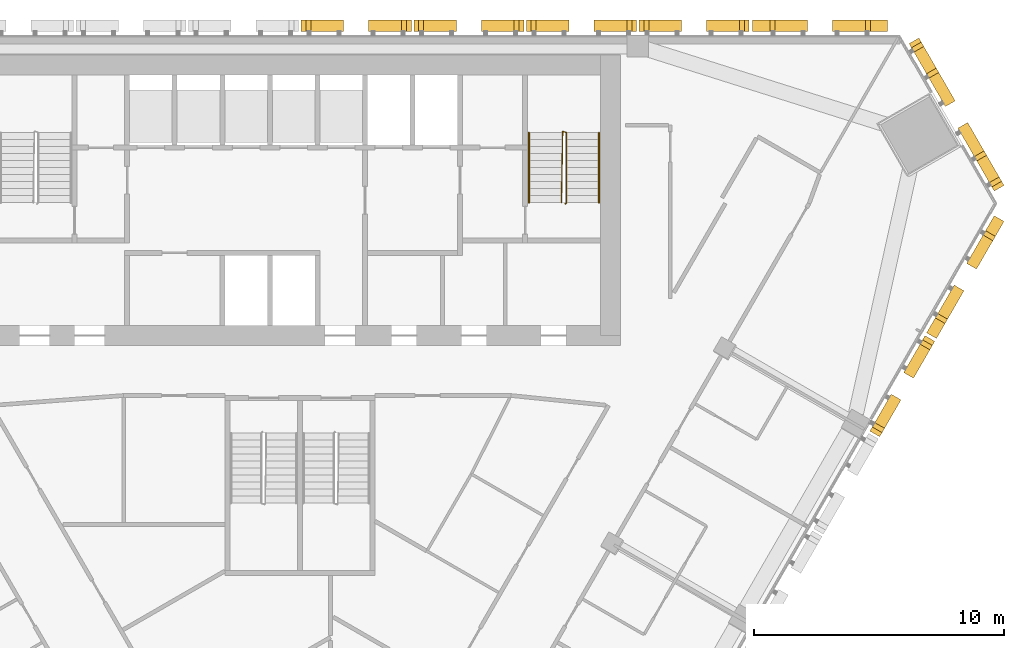
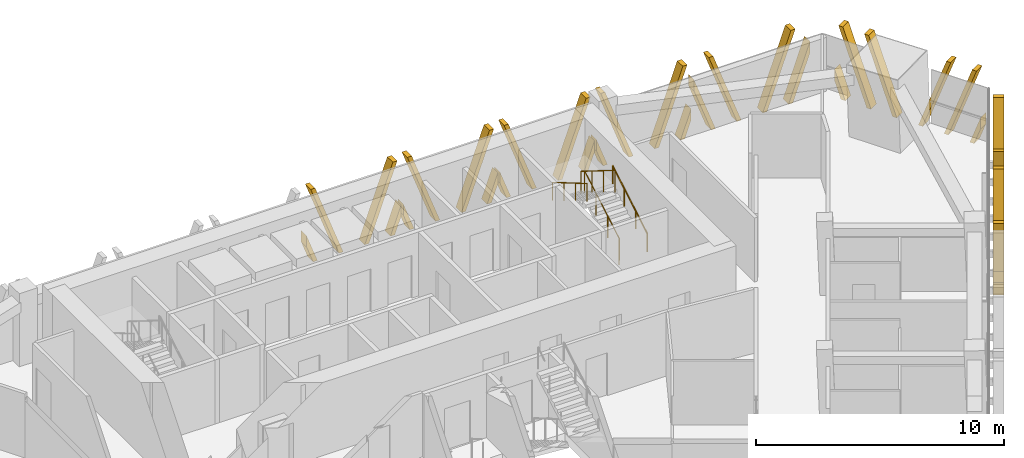
# One storey, part 15 of 16: 8 shading devices, 3 railings.
"""IFC4 building model written with IfcOpenShell, lengths in metres."""

import ifcopenshell
import ifcopenshell.guid

model = None  # the IFC model being written
_history = None  # IfcOwnerHistory: only IFC2X3 demands one
_inside = {}  # id of a spatial element -> (the spatial element, [elements in it])
_under = {}  # id of a project, library or spatial element -> (it, [spatial elements below it])
_declared = {}  # id of a project -> (the project, [libraries it declares])
_typed = {}  # id of a type object -> (the type object, [elements of that type])
_made_of = {}  # id of a material, layer set ... -> (it, [elements and type objects made of it])


def new_model(schema):
    """Start an empty IFC model of exactly this schema.

    Asked for "IFC4X3", IfcOpenShell would pick the latest addendum, in which some entities
    have other attributes; the version numbers below select the first issue.
    IFC2X3 requires an IfcOwnerHistory on every rooted entity: one is made here for all.
    """
    global model, _history
    if schema == "IFC4X3":
        model = ifcopenshell.file(schema_version=(4, 3, 0, 0))
    else:
        model = ifcopenshell.file(schema=schema)
    _inside.clear()
    _under.clear()
    _declared.clear()
    _typed.clear()
    _made_of.clear()
    _history = None
    if model.schema == "IFC2X3":
        org = make("IfcOrganization", Name="unknown")
        user = make(
            "IfcPersonAndOrganization",
            ThePerson=make("IfcPerson", FamilyName="unknown"),
            TheOrganization=org,
        )
        app = make(
            "IfcApplication",
            ApplicationDeveloper=org,
            Version="unknown",
            ApplicationFullName="unknown",
            ApplicationIdentifier="unknown",
        )
        _history = make(
            "IfcOwnerHistory",
            OwningUser=user,
            OwningApplication=app,
            ChangeAction="ADDED",
            CreationDate=0,
        )
    return model


def make(cls, **values):
    """One entity of the class cls with the attributes given. An attribute that is None is left unset."""
    return model.create_entity(
        cls, **{name: value for name, value in values.items() if value is not None}
    )


def rooted(cls, **values):
    """An entity with a GlobalId (a new one), such as an element, a storey or a relation."""
    return make(cls, GlobalId=ifcopenshell.guid.new(), OwnerHistory=_history, **values)


def si_unit(unit_type, name, prefix=None):
    """IfcSIUnit, for example si_unit("LENGTHUNIT", "METRE", prefix="MILLI")."""
    return make("IfcSIUnit", UnitType=unit_type, Prefix=prefix, Name=name)


def assignment(units):
    """IfcUnitAssignment: the units of a project."""
    return None if units is None else make("IfcUnitAssignment", Units=units)


def point(xyz):
    """IfcCartesianPoint."""
    return None if xyz is None else make("IfcCartesianPoint", Coordinates=xyz)


def direction(xyz):
    """IfcDirection."""
    return None if xyz is None else make("IfcDirection", DirectionRatios=xyz)


def frame(location, z_axis=None, x_axis=None):
    """IfcAxis2Placement3D, a coordinate frame: its origin and axes. An axis left out is left unset."""
    return make(
        "IfcAxis2Placement3D",
        Location=point(location),
        Axis=direction(z_axis),
        RefDirection=direction(x_axis),
    )


def frame_2d(location, x_axis=None):
    """IfcAxis2Placement2D, a coordinate frame in the plane: its origin and x axis."""
    return make(
        "IfcAxis2Placement2D", Location=point(location), RefDirection=direction(x_axis)
    )


def origin():
    """The frame at (0, 0, 0) with its axes left unset."""
    return frame((0.0, 0.0, 0.0))


def origin_2d():
    """The frame at (0, 0) in the plane with its x axis left unset."""
    return frame_2d((0.0, 0.0))


def place(relative_to, where):
    """IfcLocalPlacement: puts the frame where relative to a parent placement (None: the world)."""
    return make(
        "IfcLocalPlacement", PlacementRelTo=relative_to, RelativePlacement=where
    )


def context(
    kind, dimensions, precision=None, world=None, true_north=None, identifier=None
):
    """IfcGeometricRepresentationContext, for example the 3D "Model" context."""
    return make(
        "IfcGeometricRepresentationContext",
        ContextIdentifier=identifier,
        ContextType=kind,
        CoordinateSpaceDimension=dimensions,
        Precision=precision,
        WorldCoordinateSystem=world,
        TrueNorth=true_north,
    )


def subcontext(parent, identifier, kind, view, scale=None):
    """IfcGeometricRepresentationSubContext, for example "Body" below "Model"."""
    return make(
        "IfcGeometricRepresentationSubContext",
        ContextIdentifier=identifier,
        ContextType=kind,
        ParentContext=parent,
        TargetScale=scale,
        TargetView=view,
    )


def project(units=None, contexts=None):
    """IfcProject with its units and contexts."""
    return rooted(
        "IfcProject",
        Name="project",
        RepresentationContexts=contexts,
        UnitsInContext=assignment(units),
    )


def spatial(cls, under=None, at=None, **own):
    """A site, building, storey or space (cls), placed at a placement, below another one or the project."""
    s = rooted(cls, ObjectPlacement=at, **own)
    if under is not None:
        _under.setdefault(under.id(), (under, []))[1].append(s)
    return s


def polyline(points):
    """IfcPolyline through the points."""
    return make("IfcPolyline", Points=[point(p) for p in points])


def profile(cls, at=None, kind="AREA", **sizes):
    """A parametric profile (cls). Its sizes go by their IFC names, for example OverallWidth=200.0."""
    return make(cls, ProfileType=kind, Position=at, **sizes)


def circle(**sizes):
    """IfcCircleProfileDef."""
    return profile("IfcCircleProfileDef", **sizes)


def outline(outer, holes=None, kind="AREA"):
    """IfcArbitraryClosedProfileDef: a profile drawn as a closed curve; with holes, ...WithVoids."""
    if holes is None:
        return make("IfcArbitraryClosedProfileDef", ProfileType=kind, OuterCurve=outer)
    return make(
        "IfcArbitraryProfileDefWithVoids",
        ProfileType=kind,
        OuterCurve=outer,
        InnerCurves=holes,
    )


def extrude(swept, where, along, depth):
    """IfcExtrudedAreaSolid: the profile swept, set in the frame where, extruded along a direction by depth."""
    return make(
        "IfcExtrudedAreaSolid",
        SweptArea=swept,
        Position=where,
        ExtrudedDirection=direction(along),
        Depth=depth,
    )


def shape(context_of_items, identifier, shape_type, items):
    """IfcShapeRepresentation: the items that make up one representation, for example the "Body"."""
    return make(
        "IfcShapeRepresentation",
        ContextOfItems=context_of_items,
        RepresentationIdentifier=identifier,
        RepresentationType=shape_type,
        Items=items,
    )


def source(mapping_origin, context_of_items, identifier, shape_type, items):
    """IfcRepresentationMap: a shape defined once, which mapped items show again and again."""
    return make(
        "IfcRepresentationMap",
        MappingOrigin=mapping_origin,
        MappedRepresentation=shape(context_of_items, identifier, shape_type, items),
    )


def transform(
    local_origin,
    x_axis=None,
    y_axis=None,
    z_axis=None,
    scale=None,
    scale2=None,
    scale3=None,
    uniform=True,
):
    """IfcCartesianTransformationOperator3D, or its non-uniform kind. x_axis, y_axis, z_axis: its Axis1, 2, 3."""
    if uniform:
        return make(
            "IfcCartesianTransformationOperator3D",
            Axis1=direction(x_axis),
            Axis2=direction(y_axis),
            LocalOrigin=point(local_origin),
            Scale=scale,
            Axis3=direction(z_axis),
        )
    return make(
        "IfcCartesianTransformationOperator3DnonUniform",
        Axis1=direction(x_axis),
        Axis2=direction(y_axis),
        LocalOrigin=point(local_origin),
        Scale=scale,
        Axis3=direction(z_axis),
        Scale2=scale2,
        Scale3=scale3,
    )


def mapped(mapping_source, mapping_target):
    """IfcMappedItem: shows the shape of a source again, moved by a transform."""
    return make(
        "IfcMappedItem", MappingSource=mapping_source, MappingTarget=mapping_target
    )


def material(Name=None, Category=None):
    """IfcMaterial."""
    return make("IfcMaterial", Name=Name, Category=Category)


def made_of(thing, what):
    """Note that an element or type object is made of a material, layer set ...; save() writes the relation."""
    if what is not None:
        _made_of.setdefault(what.id(), (what, []))[1].append(thing)
    return thing


def type_object(cls, material=None, **own):
    """A type object (cls), such as IfcWallType, which elements share."""
    return made_of(rooted(cls, **own), material)


def element(
    cls,
    number,
    at=None,
    inside=None,
    cuts=None,
    type_object=None,
    material=None,
    context=None,
    identifier="Body",
    shape_type=None,
    held_by="IfcProductDefinitionShape",
    body=None,
    shapes=None,
    **own,
):
    """One element of the class cls, such as IfcWall. Its Tag is "e" and its number.

    at: its placement. inside: the storey or other place that contains it. cuts: it is an
    opening in that element (IfcRelVoidsElement). A single representation is given by context,
    identifier, shape_type and body (its items); several are given by shapes. held_by: the class
    of the entity that holds the representations. save() writes the other relations.
    """
    e = rooted(cls, Tag="e%d" % number, ObjectPlacement=at, **own)
    if body is not None:
        shapes = [shape(context, identifier, shape_type, body)]
    if shapes is not None:
        e.Representation = make(held_by, Representations=shapes)
    if inside is not None:
        _inside.setdefault(inside.id(), (inside, []))[1].append(e)
    if cuts is not None:
        rooted(
            "IfcRelVoidsElement", RelatingBuildingElement=cuts, RelatedOpeningElement=e
        )
    if type_object is not None:
        _typed.setdefault(type_object.id(), (type_object, []))[1].append(e)
    return made_of(e, material)


def aggregate(whole, parts):
    """IfcRelAggregates: a whole, such as a stair, and the parts it consists of."""
    return rooted("IfcRelAggregates", RelatingObject=whole, RelatedObjects=parts)


def save(model, path):
    """Write the relations noted so far, then the file.

    IfcRelAggregates (storeys below a building ...), IfcRelContainedInSpatialStructure (elements
    in a storey), IfcRelDefinesByType, IfcRelAssociatesMaterial and IfcRelDeclares: one each for
    every whole, place, type object, material and project.
    """
    for whole, parts in _under.values():
        aggregate(whole, parts)
    for where, things in _inside.values():
        rooted(
            "IfcRelContainedInSpatialStructure",
            RelatedElements=things,
            RelatingStructure=where,
        )
    for kind, things in _typed.values():
        rooted("IfcRelDefinesByType", RelatedObjects=things, RelatingType=kind)
    for what, things in _made_of.values():
        rooted("IfcRelAssociatesMaterial", RelatedObjects=things, RelatingMaterial=what)
    for by, libraries in _declared.values():
        rooted("IfcRelDeclares", RelatingContext=by, RelatedDefinitions=libraries)
    model.write(path)


model = new_model("IFC4")

# Units and contexts
model_context = context("Model", 3, precision=1e-05, world=origin(), true_north=direction((0.0, 1.0)))
body_context = subcontext(model_context, "Body", "Model", "MODEL_VIEW")
ifc_project = project(units=[si_unit("LENGTHUNIT", "METRE"), si_unit("AREAUNIT", "SQUARE_METRE"), si_unit("VOLUMEUNIT", "CUBIC_METRE"), si_unit("PLANEANGLEUNIT", "RADIAN"), si_unit("MASSUNIT", "GRAM", prefix="KILO")], contexts=[model_context])

# Site, building, storey
site_placement = place(None, origin())
site = spatial("IfcSite", under=ifc_project, at=site_placement, CompositionType="ELEMENT")
building_placement = place(site_placement, origin())
building = spatial("IfcBuilding", under=site, at=building_placement, Name="Altiplano Prism Tower", CompositionType="ELEMENT")
storey_placement = place(building_placement, frame((0.0, 0.0, 131.39990234375)))
storey = spatial("IfcBuildingStorey", under=building, at=storey_placement, Name="L33", CompositionType="ELEMENT", Elevation=131.39990234375)

# Railings
ifc_material_1 = material(Name="Steel S355", Category="steel")
railing_type_1 = type_object("IfcRailingType", Name="Stair guard 1100", PredefinedType="GUARDRAIL", material=ifc_material_1)
railing_1_placement = place(storey_placement, frame((95.60009765625, 98.25, 0.0)))
element("IfcRailing", 1, at=railing_1_placement, inside=storey, type_object=railing_type_1, Name="L33 ST2 stair guard 1", PredefinedType="GUARDRAIL", context=body_context, shape_type="SweptSolid", body=[
    extrude(circle(Radius=0.02392578125, at=origin_2d()), frame((0.0, 0.0, 1.076171875), z_axis=(0.279194930351, 0.280563532951, 0.91833234444), x_axis=(-0.708833529934, 0.705375805398, 0.0)), (0.0, 0.0, 1.0), 0.178466796875),
    extrude(circle(Radius=0.02392578125, at=origin_2d()), frame((0.0498046875, 0.050048828125, 1.23974609375), z_axis=(0.0, 0.863393664356, 0.504530851732), x_axis=(-1.0, 0.0, 0.0)), (0.0, 0.0, 1.0), 3.2431640625),
    extrude(circle(Radius=0.02392578125, at=origin_2d()), frame((0.0498046875, 2.85009765625, 2.8759765625), z_axis=(-0.948991962702, 0.315300261223, 0.0), x_axis=(-0.315300261223, -0.948991962702, 0.0)), (0.0, 0.0, 1.0), 0.157958984375),
    extrude(circle(Radius=0.02392578125, at=origin_2d()), frame((-0.10009765625, 2.89990234375, 2.8759765625), z_axis=(-0.014846418356, -0.845376787675, 0.533964109957), x_axis=(0.999845825584, -0.017559187376, 0.0)), (0.0, 0.0, 1.0), 3.37109375),
    extrude(circle(Radius=0.02099609375, at=origin_2d()), origin(), (0.0, 0.0, 1.0), 1.052001953125),
    extrude(circle(Radius=0.02099609375, at=origin_2d()), frame((0.0498046875, 0.050048828125, 0.163818359375)), (0.0, 0.0, 1.0), 1.052001953125),
    extrude(circle(Radius=0.02099609375, at=origin_2d()), frame((0.0498046875, 0.9833984375, 0.709228515625)), (0.0, 0.0, 1.0), 1.052001953125),
    extrude(circle(Radius=0.02099609375, at=origin_2d()), frame((0.0498046875, 1.916748046875, 1.254638671875)), (0.0, 0.0, 1.0), 1.052001953125),
    extrude(circle(Radius=0.02099609375, at=origin_2d()), frame((0.0498046875, 2.85009765625, 1.800048828125)), (0.0, 0.0, 1.0), 1.052001953125),
    extrude(circle(Radius=0.02099609375, at=origin_2d()), frame((-0.10009765625, 2.89990234375, 1.800048828125)), (0.0, 0.0, 1.0), 1.052001953125),
    extrude(circle(Radius=0.02099609375, at=origin_2d()), frame((-0.11669921875, 1.949951171875, 2.400146484375)), (0.0, 0.0, 1.0), 1.052001953125),
    extrude(circle(Radius=0.02099609375, at=origin_2d()), frame((-0.133544921875, 1.0, 3.0)), (0.0, 0.0, 1.0), 1.052001953125),
    extrude(circle(Radius=0.02099609375, at=origin_2d()), frame((-0.150146484375, 0.050048828125, 3.60009765625)), (0.0, 0.0, 1.0), 1.052001953125),
])
railing_type_2 = type_object("IfcRailingType", Name="Stair handrail 900", PredefinedType="HANDRAIL", material=ifc_material_1)
railing_2_placement = place(storey_placement, frame((96.949951171875, 98.300048828125, 0.163818359375)))
element("IfcRailing", 2, at=railing_2_placement, inside=storey, type_object=railing_type_2, Name="L33 ST2 stair handrail 1", PredefinedType="HANDRAIL", context=body_context, shape_type="SweptSolid", body=[
    extrude(circle(Radius=0.02392578125, at=origin_2d()), frame((0.0, 0.0, 0.8759765625), z_axis=(0.0, 0.863393664356, 0.504530851732), x_axis=(-1.0, 0.0, 0.0)), (0.0, 0.0, 1.0), 3.2431640625),
    extrude(circle(Radius=0.02099609375, at=origin_2d()), origin(), (0.0, 0.0, 1.0), 0.851806640625),
    extrude(circle(Radius=0.02099609375, at=origin_2d()), frame((0.0, 0.933349609375, 0.54541015625)), (0.0, 0.0, 1.0), 0.851806640625),
    extrude(circle(Radius=0.02099609375, at=origin_2d()), frame((0.0, 1.86669921875, 1.0908203125)), (0.0, 0.0, 1.0), 0.851806640625),
    extrude(circle(Radius=0.02099609375, at=origin_2d()), frame((0.0, 2.800048828125, 1.63623046875)), (0.0, 0.0, 1.0), 0.851806640625),
])
railing_3_placement = place(storey_placement, frame((94.14990234375, 101.10009765625, 1.963623046875)))
element("IfcRailing", 3, at=railing_3_placement, inside=storey, type_object=railing_type_2, Name="L33 ST2 stair handrail 2", PredefinedType="HANDRAIL", context=body_context, shape_type="SweptSolid", body=[
    extrude(circle(Radius=0.02392578125, at=origin_2d()), frame((0.0, 0.0, 0.8759765625), z_axis=(0.0, -0.863360870873, 0.504586966384), x_axis=(1.0, 0.0, 0.0)), (0.0, 0.0, 1.0), 3.2431640625),
    extrude(circle(Radius=0.02099609375, at=origin_2d()), origin(), (0.0, 0.0, 1.0), 0.851806640625),
    extrude(circle(Radius=0.02099609375, at=origin_2d()), frame((0.0, -0.933349609375, 0.54541015625)), (0.0, 0.0, 1.0), 0.851806640625),
    extrude(circle(Radius=0.02099609375, at=origin_2d()), frame((0.0, -1.86669921875, 1.091064453125)), (0.0, 0.0, 1.0), 0.851806640625),
    extrude(circle(Radius=0.02099609375, at=origin_2d()), frame((0.0, -2.800048828125, 1.636474609375)), (0.0, 0.0, 1.0), 0.851806640625),
])

# Shading devices
ifc_material_2 = material(Name="Warm limestone cast stone", Category="masonry")
shading_device_type_1 = type_object("IfcShadingDeviceType", Name="Stone fin panel, standard unit", PredefinedType="USERDEFINED", material=ifc_material_2)
shared_shape_1 = source(origin(), body_context, "Body", "SweptSolid", [
    extrude(outline(polyline([(-2.199951171875, 1.373779296875), (-2.199951171875, 0.82421875), (-1.89990234375, 0.0), (-1.699951171875, 0.0), (-2.199951171875, 1.373779296875)])), frame((0.0, -0.14990234375, 0.0), z_axis=(0.0, -1.0, 0.0), x_axis=(1.0, 0.0, 0.0)), (0.0, 0.0, 1.0), 0.4501953125),
    extrude(outline(polyline([(-2.01025390625, 3.60009765625), (-0.699951171875, 0.0), (-0.5, 0.0), (-1.810302734375, 3.60009765625), (-2.01025390625, 3.60009765625)])), frame((0.0, -0.14990234375, 0.0), z_axis=(0.0, -1.0, 0.0), x_axis=(1.0, 0.0, 0.0)), (0.0, 0.0, 1.0), 0.4501953125),
    extrude(outline(polyline([(1.810302734375, 3.60009765625), (0.5, 0.0), (0.699951171875, 0.0), (2.01025390625, 3.60009765625), (1.810302734375, 3.60009765625)])), frame((0.0, -0.14990234375, 0.0), z_axis=(0.0, -1.0, 0.0), x_axis=(1.0, 0.0, 0.0)), (0.0, 0.0, 1.0), 0.4501953125),
    extrude(outline(polyline([(2.199951171875, 0.82421875), (2.199951171875, 1.373779296875), (1.699951171875, 0.0), (1.89990234375, 0.0), (2.199951171875, 0.82421875)])), frame((0.0, -0.14990234375, 0.0), z_axis=(0.0, -1.0, 0.0), x_axis=(1.0, 0.0, 0.0)), (0.0, 0.0, 1.0), 0.4501953125),
])
shading_device_1_placement = place(storey_placement, origin())
element("IfcShadingDevice", 4, at=shading_device_1_placement, inside=storey, type_object=shading_device_type_1, Name="Fin L33 north face 2", ObjectType="FIN", PredefinedType="USERDEFINED", context=body_context, shape_type="MappedRepresentation", body=[
    mapped(shared_shape_1, transform((100.75, 105.0, -0.449951171875), x_axis=(-1.0, 0.0, 0.0), y_axis=(0.0, -1.0, 0.0), z_axis=(0.0, 0.0, 1.0))),
])
shading_device_2_placement = place(storey_placement, origin())
element("IfcShadingDevice", 5, at=shading_device_2_placement, inside=storey, type_object=shading_device_type_1, Name="Fin L33 north face 3", ObjectType="FIN", PredefinedType="USERDEFINED", context=body_context, shape_type="MappedRepresentation", body=[
    mapped(shared_shape_1, transform((96.25, 105.0, -0.449951171875), x_axis=(-1.0, 0.0, 0.0), y_axis=(0.0, -1.0, 0.0), z_axis=(0.0, 0.0, 1.0))),
])
shading_device_3_placement = place(storey_placement, origin())
element("IfcShadingDevice", 6, at=shading_device_3_placement, inside=storey, type_object=shading_device_type_1, Name="Fin L33 north face 4", ObjectType="FIN", PredefinedType="USERDEFINED", context=body_context, shape_type="MappedRepresentation", body=[
    mapped(shared_shape_1, transform((91.75, 105.0, -0.449951171875), x_axis=(-1.0, 0.0, 0.0), y_axis=(0.0, -1.0, 0.0), z_axis=(0.0, 0.0, 1.0))),
])
shading_device_4_placement = place(storey_placement, origin())
element("IfcShadingDevice", 7, at=shading_device_4_placement, inside=storey, type_object=shading_device_type_1, Name="Fin L33 north face 5", ObjectType="FIN", PredefinedType="USERDEFINED", context=body_context, shape_type="MappedRepresentation", body=[
    mapped(shared_shape_1, transform((87.25, 105.0, -0.449951171875), x_axis=(-1.0, 0.0, 0.0), y_axis=(0.0, -1.0, 0.0), z_axis=(0.0, 0.0, 1.0))),
])
shading_device_5_placement = place(storey_placement, origin())
element("IfcShadingDevice", 8, at=shading_device_5_placement, inside=storey, type_object=shading_device_type_1, Name="Fin L33 south-east face 9", ObjectType="FIN", PredefinedType="USERDEFINED", context=body_context, shape_type="MappedRepresentation", body=[
    mapped(shared_shape_1, transform((108.741943359375, 91.15771484375, -0.449951171875), x_axis=(0.50000000184, 0.866025402722, 0.0), y_axis=(-0.866025402722, 0.50000000184, 0.0), z_axis=(0.0, 0.0, 1.0))),
])
shading_device_type_2 = type_object("IfcShadingDeviceType", Name="Stone fin panel, wide closing bay", PredefinedType="USERDEFINED", material=ifc_material_2)
shared_shape_2 = source(origin(), body_context, "Body", "SweptSolid", [
    extrude(outline(polyline([(-2.699951171875, 2.74755859375), (-2.699951171875, 2.197998046875), (-1.89990234375, 0.0), (-1.699951171875, 0.0), (-2.699951171875, 2.74755859375)])), frame((0.0, -0.14990234375, 0.0), z_axis=(0.0, -1.0, 0.0), x_axis=(1.0, 0.0, 0.0)), (0.0, 0.0, 1.0), 0.4501953125),
    extrude(outline(polyline([(-2.01025390625, 3.60009765625), (-0.699951171875, 0.0), (-0.5, 0.0), (-1.810302734375, 3.60009765625), (-2.01025390625, 3.60009765625)])), frame((0.0, -0.14990234375, 0.0), z_axis=(0.0, -1.0, 0.0), x_axis=(1.0, 0.0, 0.0)), (0.0, 0.0, 1.0), 0.4501953125),
    extrude(outline(polyline([(1.810302734375, 3.60009765625), (0.5, 0.0), (0.699951171875, 0.0), (2.01025390625, 3.60009765625), (1.810302734375, 3.60009765625)])), frame((0.0, -0.14990234375, 0.0), z_axis=(0.0, -1.0, 0.0), x_axis=(1.0, 0.0, 0.0)), (0.0, 0.0, 1.0), 0.4501953125),
    extrude(outline(polyline([(2.699951171875, 2.197998046875), (2.699951171875, 2.74755859375), (1.699951171875, 0.0), (1.89990234375, 0.0), (2.699951171875, 2.197998046875)])), frame((0.0, -0.14990234375, 0.0), z_axis=(0.0, -1.0, 0.0), x_axis=(1.0, 0.0, 0.0)), (0.0, 0.0, 1.0), 0.4501953125),
])
shading_device_6_placement = place(storey_placement, origin())
element("IfcShadingDevice", 9, at=shading_device_6_placement, inside=storey, type_object=shading_device_type_2, Name="Fin L33 north face 1", ObjectType="FIN", PredefinedType="USERDEFINED", context=body_context, shape_type="MappedRepresentation", body=[
    mapped(shared_shape_2, transform((105.782958984375, 105.0, -0.449951171875), x_axis=(-1.0, 0.0, 0.0), y_axis=(0.0, -1.0, 0.0), z_axis=(0.0, 0.0, 1.0))),
])
shading_device_7_placement = place(storey_placement, origin())
element("IfcShadingDevice", 10, at=shading_device_7_placement, inside=storey, type_object=shading_device_type_2, Name="Fin L33 south-east face 10", ObjectType="FIN", PredefinedType="USERDEFINED", context=body_context, shape_type="MappedRepresentation", body=[
    mapped(shared_shape_2, transform((111.25830078125, 95.516357421875, -0.449951171875), x_axis=(0.50000000184, 0.866025402722, 0.0), y_axis=(-0.866025402722, 0.50000000184, 0.0), z_axis=(0.0, 0.0, 1.0))),
])
shading_device_type_3 = type_object("IfcShadingDeviceType", Name="Stone fin panel, chamfer unit", PredefinedType="USERDEFINED", material=ifc_material_2)
shared_shape_3 = source(origin(), body_context, "Body", "SweptSolid", [
    extrude(outline(polyline([(-3.39990234375, 1.373779296875), (-3.39990234375, 0.82421875), (-3.10009765625, 0.0), (-2.89990234375, 0.0), (-3.39990234375, 1.373779296875)])), frame((0.0, -0.14990234375, 0.0), z_axis=(0.0, -1.0, 0.0), x_axis=(1.0, 0.0, 0.0)), (0.0, 0.0, 1.0), 0.4501953125),
    extrude(outline(polyline([(-3.210205078125, 3.60009765625), (-1.89990234375, 0.0), (-1.699951171875, 0.0), (-3.01025390625, 3.60009765625), (-3.210205078125, 3.60009765625)])), frame((0.0, -0.14990234375, 0.0), z_axis=(0.0, -1.0, 0.0), x_axis=(1.0, 0.0, 0.0)), (0.0, 0.0, 1.0), 0.4501953125),
    extrude(outline(polyline([(-2.01025390625, 3.60009765625), (-0.699951171875, 0.0), (-0.5, 0.0), (-1.810302734375, 3.60009765625), (-2.01025390625, 3.60009765625)])), frame((0.0, -0.14990234375, 0.0), z_axis=(0.0, -1.0, 0.0), x_axis=(1.0, 0.0, 0.0)), (0.0, 0.0, 1.0), 0.4501953125),
    extrude(outline(polyline([(1.810302734375, 3.60009765625), (0.5, 0.0), (0.699951171875, 0.0), (2.01025390625, 3.60009765625), (1.810302734375, 3.60009765625)])), frame((0.0, -0.14990234375, 0.0), z_axis=(0.0, -1.0, 0.0), x_axis=(1.0, 0.0, 0.0)), (0.0, 0.0, 1.0), 0.4501953125),
    extrude(outline(polyline([(3.01025390625, 3.60009765625), (1.699951171875, 0.0), (1.89990234375, 0.0), (3.210205078125, 3.60009765625), (3.01025390625, 3.60009765625)])), frame((0.0, -0.14990234375, 0.0), z_axis=(0.0, -1.0, 0.0), x_axis=(1.0, 0.0, 0.0)), (0.0, 0.0, 1.0), 0.4501953125),
    extrude(outline(polyline([(3.39990234375, 0.82421875), (3.39990234375, 1.373779296875), (2.89990234375, 0.0), (3.10009765625, 0.0), (3.39990234375, 0.82421875)])), frame((0.0, -0.14990234375, 0.0), z_axis=(0.0, -1.0, 0.0), x_axis=(1.0, 0.0, 0.0)), (0.0, 0.0, 1.0), 0.4501953125),
])
shading_device_8_placement = place(storey_placement, origin())
element("IfcShadingDevice", 11, at=shading_device_8_placement, inside=storey, type_object=shading_device_type_3, Name="Fin L33 north-east chamfer 1", ObjectType="FIN", PredefinedType="USERDEFINED", context=body_context, shape_type="MappedRepresentation", body=[
    mapped(shared_shape_3, transform((110.90771484375, 101.636474609375, -0.449951171875), x_axis=(-0.50000000109, 0.866025403155, 0.0), y_axis=(-0.866025403155, -0.50000000109, 0.0), z_axis=(0.0, 0.0, 1.0))),
])

save(model, "model.ifc")
